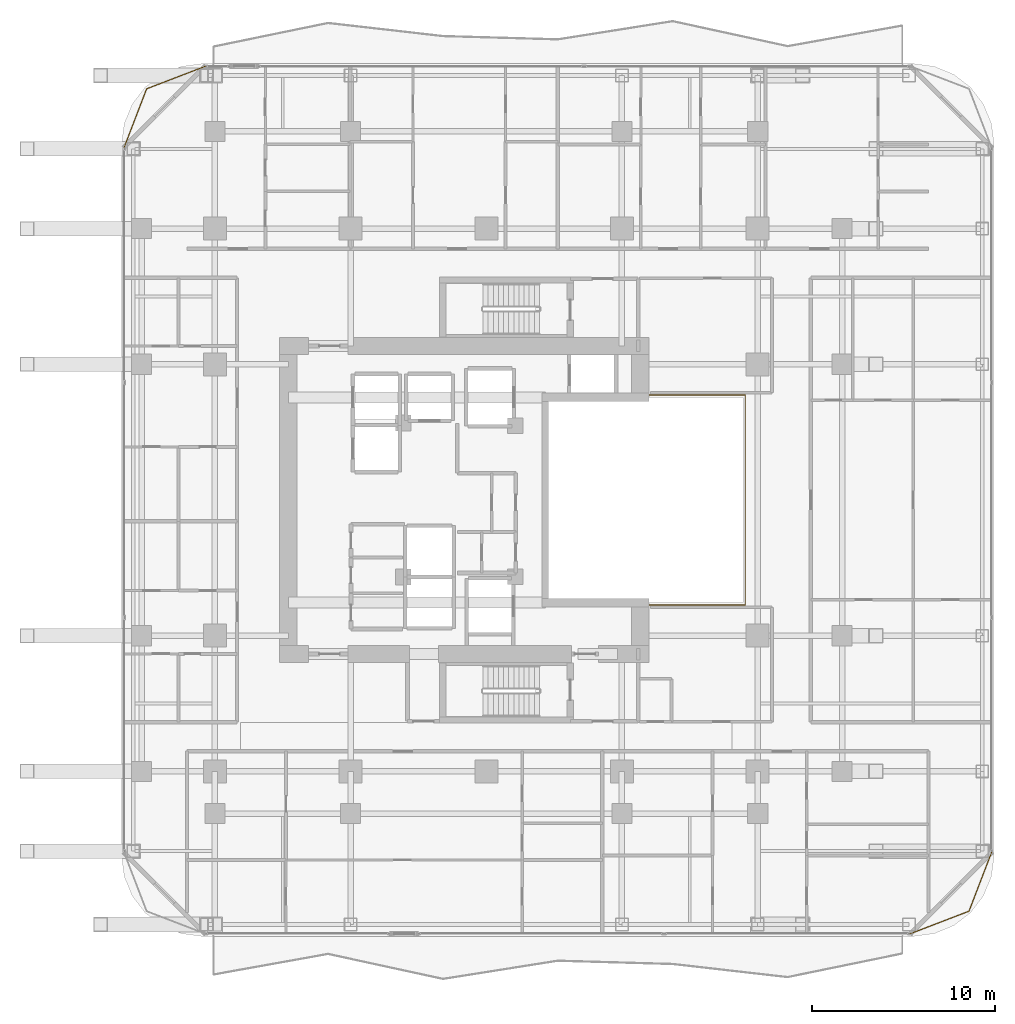
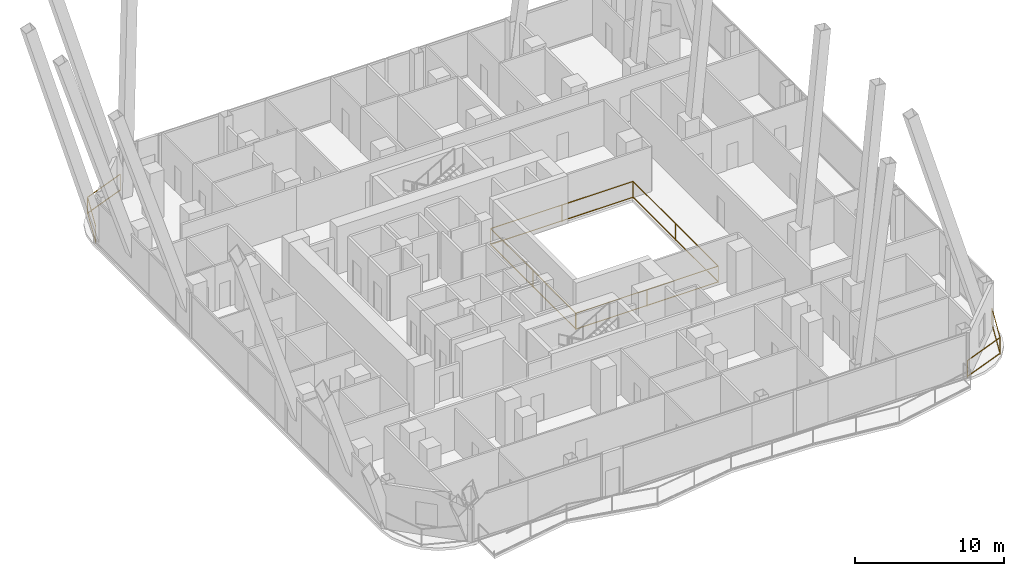
# One storey, part 31 of 32: 3 railings.
"""IFC4 building model written with IfcOpenShell, lengths in metres."""

from ifc_helpers import new_model, si_unit, direction, frame, origin, origin_2d, place, context, subcontext, project, spatial, rectangle, extrude, material, type_object, element, save


model = new_model("IFC4")

# Units and contexts
model_context = context("Model", 3, precision=1e-05, world=origin(), true_north=direction((0.0, 1.0)))
body_context = subcontext(model_context, "Body", "Model", "MODEL_VIEW")
ifc_project = project(units=[si_unit("LENGTHUNIT", "METRE"), si_unit("AREAUNIT", "SQUARE_METRE"), si_unit("VOLUMEUNIT", "CUBIC_METRE"), si_unit("PLANEANGLEUNIT", "RADIAN"), si_unit("MASSUNIT", "GRAM", prefix="KILO")], contexts=[model_context])

# Site, building, storey
site_placement = place(None, origin())
site = spatial("IfcSite", under=ifc_project, at=site_placement, CompositionType="ELEMENT")
building_placement = place(site_placement, origin())
building = spatial("IfcBuilding", under=site, at=building_placement, Name="Khorvyn Point Tower", CompositionType="ELEMENT")
storey_placement = place(building_placement, frame((0.0, 0.0, 148.5)))
storey = spatial("IfcBuildingStorey", under=building, at=storey_placement, Name="L37", CompositionType="ELEMENT", Elevation=148.5)

# Railings
ifc_material_1 = material(Name="Stainless steel 1.4401 and laminated glass", Category="steel")
railing_type_1 = type_object("IfcRailingType", Name="Crystal Atrium Smoke-Rated Perimeter Guardrail 1400", PredefinedType="GUARDRAIL", material=ifc_material_1)
railing_1_placement = place(storey_placement, frame((3.080078125, -5.719970703125, 0.0)))
element("IfcRailing", 1, at=railing_1_placement, inside=storey, type_object=railing_type_1, Name="L37 Crystal Atrium Perimeter Guardrail", PredefinedType="GUARDRAIL", context=body_context, shape_type="SweptSolid", body=[
    extrude(rectangle(XDim=0.048095703125, YDim=0.048095703125, at=origin_2d()), frame((0.0, 0.0, 1.3759765625), z_axis=(1.0, 0.0, 0.0), x_axis=(0.0, 1.0, 0.0)), (0.0, 0.0, 1.0), 11.0400390625),
    extrude(rectangle(XDim=0.048095703125, YDim=0.048095703125, at=origin_2d()), frame((0.0, 0.0, 0.080078125), z_axis=(1.0, 0.0, 0.0), x_axis=(0.0, 1.0, 0.0)), (0.0, 0.0, 1.0), 11.0400390625),
    extrude(rectangle(XDim=0.048095703125, YDim=0.048095703125, at=origin_2d()), frame((11.0400390625, 0.0, 1.3759765625), z_axis=(0.0, 1.0, 0.0), x_axis=(-1.0, 0.0, 0.0)), (0.0, 0.0, 1.0), 11.43994140625),
    extrude(rectangle(XDim=0.048095703125, YDim=0.048095703125, at=origin_2d()), frame((11.0400390625, 0.0, 0.080078125), z_axis=(0.0, 1.0, 0.0), x_axis=(-1.0, 0.0, 0.0)), (0.0, 0.0, 1.0), 11.43994140625),
    extrude(rectangle(XDim=0.048095703125, YDim=0.048095703125, at=origin_2d()), frame((11.0400390625, 11.43994140625, 1.3759765625), z_axis=(-1.0, 0.0, 0.0), x_axis=(0.0, -1.0, 0.0)), (0.0, 0.0, 1.0), 11.0400390625),
    extrude(rectangle(XDim=0.048095703125, YDim=0.048095703125, at=origin_2d()), frame((11.0400390625, 11.43994140625, 0.080078125), z_axis=(-1.0, 0.0, 0.0), x_axis=(0.0, -1.0, 0.0)), (0.0, 0.0, 1.0), 11.0400390625),
    extrude(rectangle(XDim=0.048095703125, YDim=0.048095703125, at=origin_2d()), frame((0.0, 11.43994140625, 1.3759765625), z_axis=(0.0, -1.0, 0.0), x_axis=(1.0, 0.0, 0.0)), (0.0, 0.0, 1.0), 11.409912109375),
    extrude(rectangle(XDim=0.048095703125, YDim=0.048095703125, at=origin_2d()), frame((0.0, 11.43994140625, 0.080078125), z_axis=(0.0, -1.0, 0.0), x_axis=(1.0, 0.0, 0.0)), (0.0, 0.0, 1.0), 11.409912109375),
    extrude(rectangle(XDim=0.0419921875, YDim=0.0419921875, at=origin_2d()), origin(), (0.0, 0.0, 1.0), 1.351806640625),
    extrude(rectangle(XDim=0.0419921875, YDim=0.0419921875, at=origin_2d()), frame((5.52001953125, 0.0, 0.0)), (0.0, 0.0, 1.0), 1.351806640625),
    extrude(rectangle(XDim=0.0419921875, YDim=0.0419921875, at=origin_2d()), frame((11.0400390625, 0.0, 0.0)), (0.0, 0.0, 1.0), 1.351806640625),
    extrude(rectangle(XDim=0.0419921875, YDim=0.0419921875, at=origin_2d()), frame((11.0400390625, 5.719970703125, 0.0)), (0.0, 0.0, 1.0), 1.351806640625),
    extrude(rectangle(XDim=0.0419921875, YDim=0.0419921875, at=origin_2d()), frame((11.0400390625, 11.43994140625, 0.0)), (0.0, 0.0, 1.0), 1.351806640625),
    extrude(rectangle(XDim=0.0419921875, YDim=0.0419921875, at=origin_2d()), frame((5.52001953125, 11.43994140625, 0.0)), (0.0, 0.0, 1.0), 1.351806640625),
    extrude(rectangle(XDim=0.0419921875, YDim=0.0419921875, at=origin_2d()), frame((0.0, 11.43994140625, 0.0)), (0.0, 0.0, 1.0), 1.351806640625),
    extrude(rectangle(XDim=0.0419921875, YDim=0.0419921875, at=origin_2d()), frame((0.0, 5.73486328125, 0.0)), (0.0, 0.0, 1.0), 1.351806640625),
    extrude(rectangle(XDim=0.0419921875, YDim=0.0419921875, at=origin_2d()), frame((0.0, 0.030029296875, 0.0)), (0.0, 0.0, 1.0), 1.351806640625),
])
ifc_material_2 = material(Name="Anodised aluminium 6063-T6 and laminated safety glass", Category="aluminium")
railing_type_2 = type_object("IfcRailingType", Name="Laminated Glass and Aluminium Balcony Guardrail 1400", PredefinedType="BALUSTRADE", material=ifc_material_2)
railing_2_placement = place(storey_placement, frame((-15.27587890625, 23.674072265625, 0.0)))
element("IfcRailing", 2, at=railing_2_placement, inside=storey, type_object=railing_type_2, Name="L37 Rounded Corner Edge Guardrail NW", PredefinedType="BALUSTRADE", context=body_context, shape_type="SweptSolid", body=[
    extrude(rectangle(XDim=0.048095703125, YDim=0.048095703125, at=origin_2d()), frame((0.0, 0.0, 1.3759765625), z_axis=(-0.933598390295, -0.358321148746, 0.0), x_axis=(0.358321148746, -0.933598390295, 0.0)), (0.0, 0.0, 1.0), 3.481689453125),
    extrude(rectangle(XDim=0.048095703125, YDim=0.048095703125, at=origin_2d()), frame((0.0, 0.0, 0.080078125), z_axis=(-0.933598390295, -0.358321148746, 0.0), x_axis=(0.358321148746, -0.933598390295, 0.0)), (0.0, 0.0, 1.0), 3.481689453125),
    extrude(rectangle(XDim=0.048095703125, YDim=0.048095703125, at=origin_2d()), frame((-3.25048828125, -1.24755859375, 1.3759765625), z_axis=(-0.358382264808, -0.933574931257, 0.0), x_axis=(0.933574931257, -0.358382264808, 0.0)), (0.0, 0.0, 1.0), 3.481689453125),
    extrude(rectangle(XDim=0.048095703125, YDim=0.048095703125, at=origin_2d()), frame((-3.25048828125, -1.24755859375, 0.080078125), z_axis=(-0.358382264808, -0.933574931257, 0.0), x_axis=(0.933574931257, -0.358382264808, 0.0)), (0.0, 0.0, 1.0), 3.481689453125),
    extrude(rectangle(XDim=0.0419921875, YDim=0.0419921875, at=origin_2d()), origin(), (0.0, 0.0, 1.0), 1.351806640625),
    extrude(rectangle(XDim=0.0419921875, YDim=0.0419921875, at=origin_2d()), frame((-3.25048828125, -1.24755859375, 0.0)), (0.0, 0.0, 1.0), 1.351806640625),
    extrude(rectangle(XDim=0.0419921875, YDim=0.0419921875, at=origin_2d()), frame((-4.498291015625, -4.498046875, 0.0)), (0.0, 0.0, 1.0), 1.351806640625),
])
railing_3_placement = place(storey_placement, frame((23.075927734375, -23.674072265625, 0.0)))
element("IfcRailing", 3, at=railing_3_placement, inside=storey, type_object=railing_type_2, Name="L37 Rounded Corner Edge Guardrail SE", PredefinedType="BALUSTRADE", context=body_context, shape_type="SweptSolid", body=[
    extrude(rectangle(XDim=0.048095703125, YDim=0.048095703125, at=origin_2d()), frame((0.0, 0.0, 1.3759765625), z_axis=(0.933598390295, 0.358321148746, 0.0), x_axis=(-0.358321148746, 0.933598390295, 0.0)), (0.0, 0.0, 1.0), 3.481689453125),
    extrude(rectangle(XDim=0.048095703125, YDim=0.048095703125, at=origin_2d()), frame((0.0, 0.0, 0.080078125), z_axis=(0.933598390295, 0.358321148746, 0.0), x_axis=(-0.358321148746, 0.933598390295, 0.0)), (0.0, 0.0, 1.0), 3.481689453125),
    extrude(rectangle(XDim=0.048095703125, YDim=0.048095703125, at=origin_2d()), frame((3.25048828125, 1.24755859375, 1.3759765625), z_axis=(0.358382264808, 0.933574931257, 0.0), x_axis=(-0.933574931257, 0.358382264808, 0.0)), (0.0, 0.0, 1.0), 3.481689453125),
    extrude(rectangle(XDim=0.048095703125, YDim=0.048095703125, at=origin_2d()), frame((3.25048828125, 1.24755859375, 0.080078125), z_axis=(0.358382264808, 0.933574931257, 0.0), x_axis=(-0.933574931257, 0.358382264808, 0.0)), (0.0, 0.0, 1.0), 3.481689453125),
    extrude(rectangle(XDim=0.0419921875, YDim=0.0419921875, at=origin_2d()), origin(), (0.0, 0.0, 1.0), 1.351806640625),
    extrude(rectangle(XDim=0.0419921875, YDim=0.0419921875, at=origin_2d()), frame((3.25048828125, 1.24755859375, 0.0)), (0.0, 0.0, 1.0), 1.351806640625),
    extrude(rectangle(XDim=0.0419921875, YDim=0.0419921875, at=origin_2d()), frame((4.498291015625, 4.498046875, 0.0)), (0.0, 0.0, 1.0), 1.351806640625),
])

save(model, "model.ifc")
